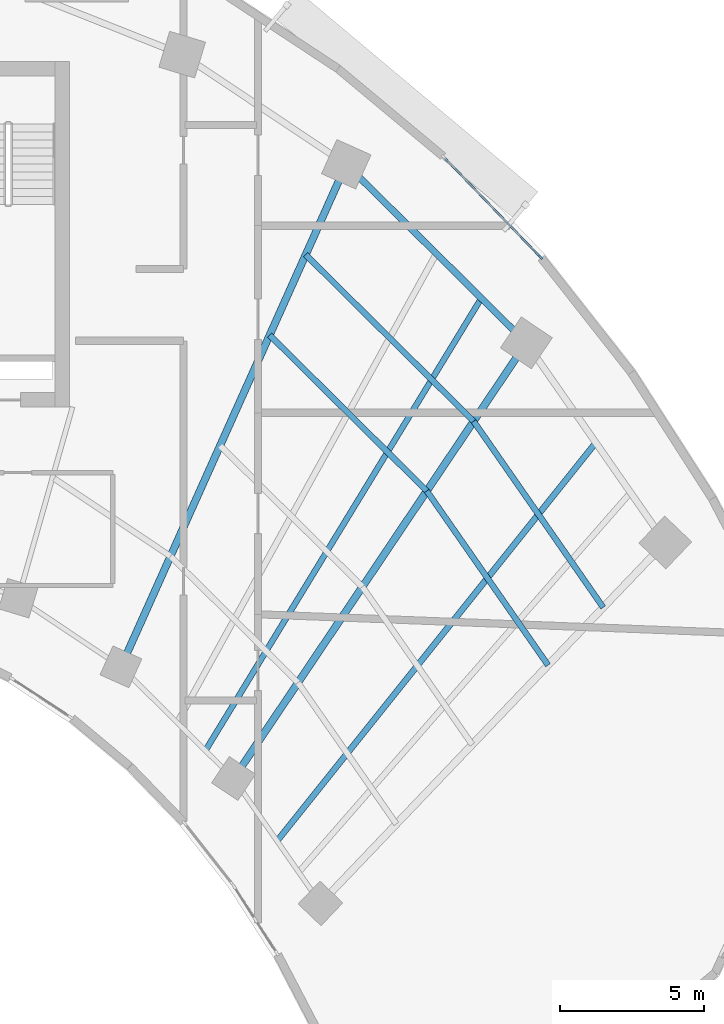
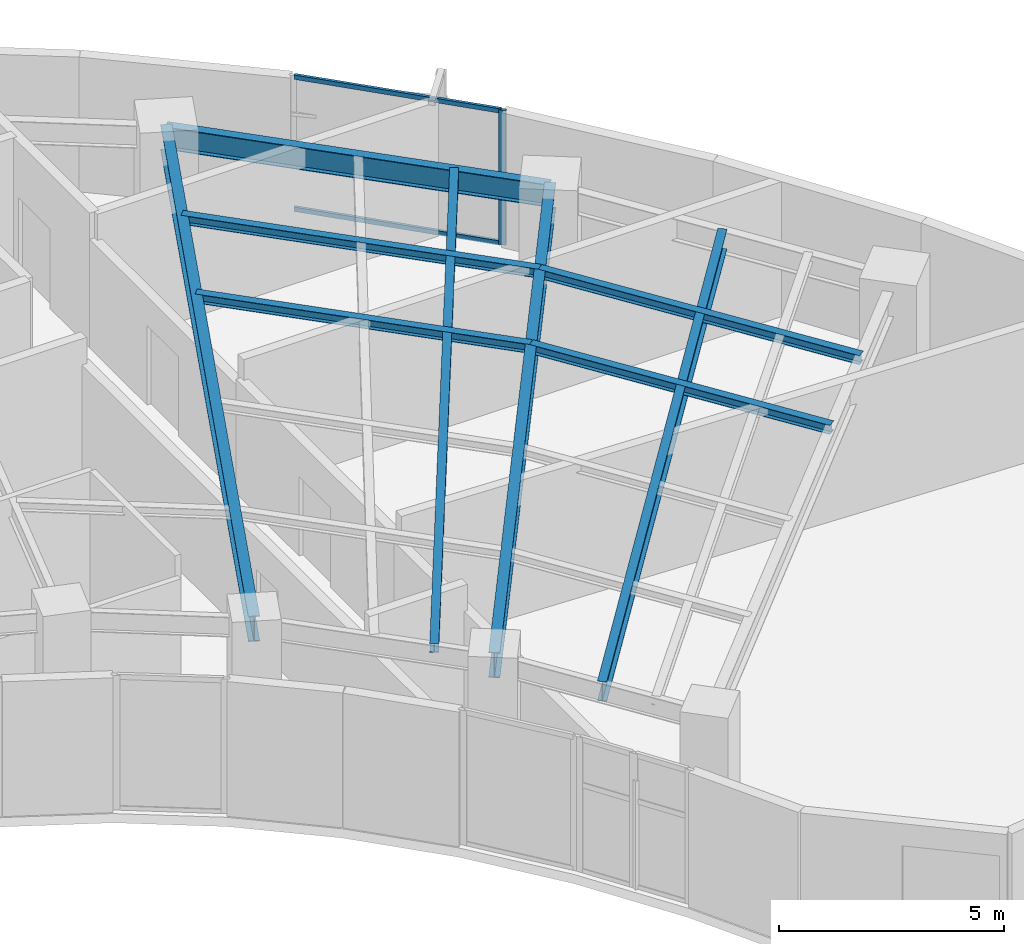
# One storey, part 4 of 13: 9 beams, 3 members, 1 element without a shape of its own.
"""IFC4 building model written with IfcOpenShell, lengths in metres."""

import ifcopenshell
import ifcopenshell.guid

model = None  # the IFC model being written
_history = None  # IfcOwnerHistory: only IFC2X3 demands one
_inside = {}  # id of a spatial element -> (the spatial element, [elements in it])
_under = {}  # id of a project, library or spatial element -> (it, [spatial elements below it])
_declared = {}  # id of a project -> (the project, [libraries it declares])
_typed = {}  # id of a type object -> (the type object, [elements of that type])
_made_of = {}  # id of a material, layer set ... -> (it, [elements and type objects made of it])


def new_model(schema):
    """Start an empty IFC model of exactly this schema.

    Asked for "IFC4X3", IfcOpenShell would pick the latest addendum, in which some entities
    have other attributes; the version numbers below select the first issue.
    IFC2X3 requires an IfcOwnerHistory on every rooted entity: one is made here for all.
    """
    global model, _history
    if schema == "IFC4X3":
        model = ifcopenshell.file(schema_version=(4, 3, 0, 0))
    else:
        model = ifcopenshell.file(schema=schema)
    _inside.clear()
    _under.clear()
    _declared.clear()
    _typed.clear()
    _made_of.clear()
    _history = None
    if model.schema == "IFC2X3":
        org = make("IfcOrganization", Name="unknown")
        user = make(
            "IfcPersonAndOrganization",
            ThePerson=make("IfcPerson", FamilyName="unknown"),
            TheOrganization=org,
        )
        app = make(
            "IfcApplication",
            ApplicationDeveloper=org,
            Version="unknown",
            ApplicationFullName="unknown",
            ApplicationIdentifier="unknown",
        )
        _history = make(
            "IfcOwnerHistory",
            OwningUser=user,
            OwningApplication=app,
            ChangeAction="ADDED",
            CreationDate=0,
        )
    return model


def make(cls, **values):
    """One entity of the class cls with the attributes given. An attribute that is None is left unset."""
    return model.create_entity(
        cls, **{name: value for name, value in values.items() if value is not None}
    )


def rooted(cls, **values):
    """An entity with a GlobalId (a new one), such as an element, a storey or a relation."""
    return make(cls, GlobalId=ifcopenshell.guid.new(), OwnerHistory=_history, **values)


def si_unit(unit_type, name, prefix=None):
    """IfcSIUnit, for example si_unit("LENGTHUNIT", "METRE", prefix="MILLI")."""
    return make("IfcSIUnit", UnitType=unit_type, Prefix=prefix, Name=name)


def assignment(units):
    """IfcUnitAssignment: the units of a project."""
    return None if units is None else make("IfcUnitAssignment", Units=units)


def point(xyz):
    """IfcCartesianPoint."""
    return None if xyz is None else make("IfcCartesianPoint", Coordinates=xyz)


def direction(xyz):
    """IfcDirection."""
    return None if xyz is None else make("IfcDirection", DirectionRatios=xyz)


def frame(location, z_axis=None, x_axis=None):
    """IfcAxis2Placement3D, a coordinate frame: its origin and axes. An axis left out is left unset."""
    return make(
        "IfcAxis2Placement3D",
        Location=point(location),
        Axis=direction(z_axis),
        RefDirection=direction(x_axis),
    )


def frame_2d(location, x_axis=None):
    """IfcAxis2Placement2D, a coordinate frame in the plane: its origin and x axis."""
    return make(
        "IfcAxis2Placement2D", Location=point(location), RefDirection=direction(x_axis)
    )


def origin():
    """The frame at (0, 0, 0) with its axes left unset."""
    return frame((0.0, 0.0, 0.0))


def origin_2d():
    """The frame at (0, 0) in the plane with its x axis left unset."""
    return frame_2d((0.0, 0.0))


def place(relative_to, where):
    """IfcLocalPlacement: puts the frame where relative to a parent placement (None: the world)."""
    return make(
        "IfcLocalPlacement", PlacementRelTo=relative_to, RelativePlacement=where
    )


def context(
    kind, dimensions, precision=None, world=None, true_north=None, identifier=None
):
    """IfcGeometricRepresentationContext, for example the 3D "Model" context."""
    return make(
        "IfcGeometricRepresentationContext",
        ContextIdentifier=identifier,
        ContextType=kind,
        CoordinateSpaceDimension=dimensions,
        Precision=precision,
        WorldCoordinateSystem=world,
        TrueNorth=true_north,
    )


def subcontext(parent, identifier, kind, view, scale=None):
    """IfcGeometricRepresentationSubContext, for example "Body" below "Model"."""
    return make(
        "IfcGeometricRepresentationSubContext",
        ContextIdentifier=identifier,
        ContextType=kind,
        ParentContext=parent,
        TargetScale=scale,
        TargetView=view,
    )


def project(units=None, contexts=None):
    """IfcProject with its units and contexts."""
    return rooted(
        "IfcProject",
        Name="project",
        RepresentationContexts=contexts,
        UnitsInContext=assignment(units),
    )


def spatial(cls, under=None, at=None, **own):
    """A site, building, storey or space (cls), placed at a placement, below another one or the project."""
    s = rooted(cls, ObjectPlacement=at, **own)
    if under is not None:
        _under.setdefault(under.id(), (under, []))[1].append(s)
    return s


def profile(cls, at=None, kind="AREA", **sizes):
    """A parametric profile (cls). Its sizes go by their IFC names, for example OverallWidth=200.0."""
    return make(cls, ProfileType=kind, Position=at, **sizes)


def rectangle(**sizes):
    """IfcRectangleProfileDef."""
    return profile("IfcRectangleProfileDef", **sizes)


def i_section(**sizes):
    """IfcIShapeProfileDef."""
    return profile("IfcIShapeProfileDef", **sizes)


def extrude(swept, where, along, depth):
    """IfcExtrudedAreaSolid: the profile swept, set in the frame where, extruded along a direction by depth."""
    return make(
        "IfcExtrudedAreaSolid",
        SweptArea=swept,
        Position=where,
        ExtrudedDirection=direction(along),
        Depth=depth,
    )


def shape(context_of_items, identifier, shape_type, items):
    """IfcShapeRepresentation: the items that make up one representation, for example the "Body"."""
    return make(
        "IfcShapeRepresentation",
        ContextOfItems=context_of_items,
        RepresentationIdentifier=identifier,
        RepresentationType=shape_type,
        Items=items,
    )


def source(mapping_origin, context_of_items, identifier, shape_type, items):
    """IfcRepresentationMap: a shape defined once, which mapped items show again and again."""
    return make(
        "IfcRepresentationMap",
        MappingOrigin=mapping_origin,
        MappedRepresentation=shape(context_of_items, identifier, shape_type, items),
    )


def transform(
    local_origin,
    x_axis=None,
    y_axis=None,
    z_axis=None,
    scale=None,
    scale2=None,
    scale3=None,
    uniform=True,
):
    """IfcCartesianTransformationOperator3D, or its non-uniform kind. x_axis, y_axis, z_axis: its Axis1, 2, 3."""
    if uniform:
        return make(
            "IfcCartesianTransformationOperator3D",
            Axis1=direction(x_axis),
            Axis2=direction(y_axis),
            LocalOrigin=point(local_origin),
            Scale=scale,
            Axis3=direction(z_axis),
        )
    return make(
        "IfcCartesianTransformationOperator3DnonUniform",
        Axis1=direction(x_axis),
        Axis2=direction(y_axis),
        LocalOrigin=point(local_origin),
        Scale=scale,
        Axis3=direction(z_axis),
        Scale2=scale2,
        Scale3=scale3,
    )


def mapped(mapping_source, mapping_target):
    """IfcMappedItem: shows the shape of a source again, moved by a transform."""
    return make(
        "IfcMappedItem", MappingSource=mapping_source, MappingTarget=mapping_target
    )


def material(Name=None, Category=None):
    """IfcMaterial."""
    return make("IfcMaterial", Name=Name, Category=Category)


def layer(
    of_material, thickness, ventilated=None, Name=None, Category=None, Priority=None
):
    """IfcMaterialLayer: one layer of a wall or slab, of a material (None: an air gap)."""
    return make(
        "IfcMaterialLayer",
        Material=of_material,
        LayerThickness=thickness,
        IsVentilated=ventilated,
        Name=Name,
        Category=Category,
        Priority=Priority,
    )


def layer_set(layers, Name=None):
    """IfcMaterialLayerSet."""
    return make("IfcMaterialLayerSet", MaterialLayers=layers, LayerSetName=Name)


def material_profile(
    of_material, cross_section, Name=None, Category=None, Priority=None
):
    """IfcMaterialProfile: a cross section and its material."""
    return make(
        "IfcMaterialProfile",
        Name=Name,
        Material=of_material,
        Profile=cross_section,
        Priority=Priority,
        Category=Category,
    )


def profile_set(profiles, Name=None, composite=None):
    """IfcMaterialProfileSet."""
    return make(
        "IfcMaterialProfileSet",
        Name=Name,
        MaterialProfiles=profiles,
        CompositeProfile=composite,
    )


def made_of(thing, what):
    """Note that an element or type object is made of a material, layer set ...; save() writes the relation."""
    if what is not None:
        _made_of.setdefault(what.id(), (what, []))[1].append(thing)
    return thing


def type_object(cls, material=None, **own):
    """A type object (cls), such as IfcWallType, which elements share."""
    return made_of(rooted(cls, **own), material)


def element(
    cls,
    number,
    at=None,
    inside=None,
    cuts=None,
    type_object=None,
    material=None,
    context=None,
    identifier="Body",
    shape_type=None,
    held_by="IfcProductDefinitionShape",
    body=None,
    shapes=None,
    **own,
):
    """One element of the class cls, such as IfcWall. Its Tag is "e" and its number.

    at: its placement. inside: the storey or other place that contains it. cuts: it is an
    opening in that element (IfcRelVoidsElement). A single representation is given by context,
    identifier, shape_type and body (its items); several are given by shapes. held_by: the class
    of the entity that holds the representations. save() writes the other relations.
    """
    e = rooted(cls, Tag="e%d" % number, ObjectPlacement=at, **own)
    if body is not None:
        shapes = [shape(context, identifier, shape_type, body)]
    if shapes is not None:
        e.Representation = make(held_by, Representations=shapes)
    if inside is not None:
        _inside.setdefault(inside.id(), (inside, []))[1].append(e)
    if cuts is not None:
        rooted(
            "IfcRelVoidsElement", RelatingBuildingElement=cuts, RelatedOpeningElement=e
        )
    if type_object is not None:
        _typed.setdefault(type_object.id(), (type_object, []))[1].append(e)
    return made_of(e, material)


def aggregate(whole, parts):
    """IfcRelAggregates: a whole, such as a stair, and the parts it consists of."""
    return rooted("IfcRelAggregates", RelatingObject=whole, RelatedObjects=parts)


def save(model, path):
    """Write the relations noted so far, then the file.

    IfcRelAggregates (storeys below a building ...), IfcRelContainedInSpatialStructure (elements
    in a storey), IfcRelDefinesByType, IfcRelAssociatesMaterial and IfcRelDeclares: one each for
    every whole, place, type object, material and project.
    """
    for whole, parts in _under.values():
        aggregate(whole, parts)
    for where, things in _inside.values():
        rooted(
            "IfcRelContainedInSpatialStructure",
            RelatedElements=things,
            RelatingStructure=where,
        )
    for kind, things in _typed.values():
        rooted("IfcRelDefinesByType", RelatedObjects=things, RelatingType=kind)
    for what, things in _made_of.values():
        rooted("IfcRelAssociatesMaterial", RelatedObjects=things, RelatingMaterial=what)
    for by, libraries in _declared.values():
        rooted("IfcRelDeclares", RelatingContext=by, RelatedDefinitions=libraries)
    model.write(path)


model = new_model("IFC4")

# Units and contexts
model_context = context("Model", 3, precision=1e-05, world=origin(), true_north=direction((0.0, 1.0)))
body_context = subcontext(model_context, "Body", "Model", "MODEL_VIEW")
ifc_project = project(units=[si_unit("LENGTHUNIT", "METRE"), si_unit("AREAUNIT", "SQUARE_METRE"), si_unit("VOLUMEUNIT", "CUBIC_METRE"), si_unit("PLANEANGLEUNIT", "RADIAN"), si_unit("MASSUNIT", "GRAM", prefix="KILO")], contexts=[model_context])

# Site, building, storey
site_placement = place(None, origin())
site = spatial("IfcSite", under=ifc_project, at=site_placement, CompositionType="ELEMENT")
building_placement = place(site_placement, origin())
building = spatial("IfcBuilding", under=site, at=building_placement, Name="Breltana Convention Tower", CompositionType="ELEMENT")
storey_placement = place(building_placement, frame((0.0, 0.0, 127.199951171875)))
storey = spatial("IfcBuildingStorey", under=building, at=storey_placement, Name="L30", CompositionType="ELEMENT", Elevation=127.199951171875)

# Beams
ifc_material_1 = material(Name="Steel ASTM A992 Grade 50", Category="steel")
ifc_material_profile_1 = material_profile(ifc_material_1, i_section(OverallWidth=0.25390625, OverallDepth=0.68798828125, WebThickness=0.01318359375, FlangeThickness=0.02099609375, at=origin_2d()), Name="W27X102")
ifc_profile_set_1 = profile_set([ifc_material_profile_1], Name="Steel ASTM A992 Grade 50")
beam_type_1 = type_object("IfcBeamType", Name="BM-RG-W27X102", PredefinedType="USERDEFINED", material=ifc_profile_set_1)
shared_shape_1 = source(origin(), body_context, "Body", "SweptSolid", [
    extrude(i_section(OverallWidth=0.25390625, OverallDepth=0.68798828125, WebThickness=0.01318359375, FlangeThickness=0.02099609375, at=origin_2d()), origin(), (0.0, 0.0, 1.0), 19.133544921875),
])
beam_1_placement = place(storey_placement, frame((61.08203125, 51.174560546875, 3.30615234375), z_axis=(0.409144564164, 0.912469575172, 0.0), x_axis=(-0.912469575172, 0.409144564164, 0.0)))
element("IfcBeam", 1, at=beam_1_placement, inside=storey, type_object=beam_type_1, Name="L30 Radial Floor Girder R09", ObjectType="GIRDER", PredefinedType="USERDEFINED", context=body_context, shape_type="MappedRepresentation", body=[
    mapped(shared_shape_1, transform((0.0, 0.0, 0.0), scale=1.0)),
])
shared_shape_2 = source(origin(), body_context, "Body", "SweptSolid", [
    extrude(i_section(OverallWidth=0.25390625, OverallDepth=0.68798828125, WebThickness=0.01318359375, FlangeThickness=0.02099609375, at=origin_2d()), origin(), (0.0, 0.0, 1.0), 18.236328125),
])
beam_2_placement = place(storey_placement, frame((64.995849609375, 47.293701171875, 3.30615234375), z_axis=(0.557730360975, 0.830022195153, 0.0), x_axis=(-0.830022195153, 0.557730360975, 0.0)))
element("IfcBeam", 2, at=beam_2_placement, inside=storey, type_object=beam_type_1, Name="L30 Radial Floor Girder R10", ObjectType="GIRDER", PredefinedType="USERDEFINED", context=body_context, shape_type="MappedRepresentation", body=[
    mapped(shared_shape_2, transform((0.0, 0.0, 0.0), scale=1.0)),
])
ifc_material_profile_2 = material_profile(ifc_material_1, i_section(OverallWidth=0.22802734375, OverallDepth=0.60791015625, WebThickness=0.01123046875, FlangeThickness=0.017333984375, at=origin_2d()), Name="W24X76")
ifc_profile_set_2 = profile_set([ifc_material_profile_2], Name="Steel ASTM A992 Grade 50")
beam_type_2 = type_object("IfcBeamType", Name="BM-SP-W24X76", PredefinedType="SPANDREL", material=ifc_profile_set_2)
shared_shape_3 = source(origin(), body_context, "Body", "SweptSolid", [
    extrude(i_section(OverallWidth=0.22802734375, OverallDepth=0.60791015625, WebThickness=0.01123046875, FlangeThickness=0.017333984375, at=origin_2d()), origin(), (0.0, 0.0, 1.0), 8.810302734375),
])
beam_3_placement = place(storey_placement, frame((68.910400390625, 68.63330078125, 3.345947265625), z_axis=(0.710120823582, -0.704079836322, 0.0), x_axis=(0.704079836322, 0.710120823582, 0.0)))
element("IfcBeam", 3, at=beam_3_placement, inside=storey, type_object=beam_type_2, Name="L30 Outer Spandrel Beam 09", PredefinedType="SPANDREL", context=body_context, shape_type="MappedRepresentation", body=[
    mapped(shared_shape_3, transform((0.0, 0.0, 0.0), scale=1.0)),
])
ifc_material_profile_3 = material_profile(ifc_material_1, i_section(OverallWidth=0.201904296875, OverallDepth=0.2470703125, WebThickness=0.00732421875, FlangeThickness=0.010986328125, at=origin_2d()), Name="W10X33")
ifc_profile_set_3 = profile_set([ifc_material_profile_3], Name="Steel ASTM A992 Grade 50")
beam_type_3 = type_object("IfcBeamType", Name="BM-JSG-11", PredefinedType="JOIST", material=ifc_profile_set_3)
shared_shape_4 = source(origin(), body_context, "Body", "SweptSolid", [
    extrude(i_section(OverallWidth=0.201904296875, OverallDepth=0.2470703125, WebThickness=0.00732421875, FlangeThickness=0.010986328125, at=origin_2d()), origin(), (0.0, 0.0, 1.0), 7.688720703125),
])
beam_4_placement = place(storey_placement, frame((66.248779296875, 62.697265625, 3.526611328125), z_axis=(0.710101109809, -0.704099718682, 0.0), x_axis=(0.704099718682, 0.710101109809, 0.0)))
element("IfcBeam", 4, at=beam_4_placement, inside=storey, type_object=beam_type_3, Name="L30 Composite Floor Joist 09.3", PredefinedType="JOIST", context=body_context, shape_type="MappedRepresentation", body=[
    mapped(shared_shape_4, transform((0.0, 0.0, 0.0), scale=1.0)),
])
shared_shape_5 = source(origin(), body_context, "Body", "SweptSolid", [
    extrude(i_section(OverallWidth=0.201904296875, OverallDepth=0.2470703125, WebThickness=0.00732421875, FlangeThickness=0.010986328125, at=origin_2d()), origin(), (0.0, 0.0, 1.0), 8.21630859375),
])
beam_5_placement = place(storey_placement, frame((67.50146484375, 65.49072265625, 3.526611328125), z_axis=(0.710101511063, -0.704099314008, 0.0), x_axis=(0.704099314008, 0.710101511063, 0.0)))
element("IfcBeam", 5, at=beam_5_placement, inside=storey, type_object=beam_type_3, Name="L30 Composite Floor Joist 09.4", PredefinedType="JOIST", context=body_context, shape_type="MappedRepresentation", body=[
    mapped(shared_shape_5, transform((0.0, 0.0, 0.0), scale=1.0)),
])
shared_shape_6 = source(origin(), body_context, "Body", "SweptSolid", [
    extrude(i_section(OverallWidth=0.201904296875, OverallDepth=0.2470703125, WebThickness=0.00732421875, FlangeThickness=0.010986328125, at=origin_2d()), origin(), (0.0, 0.0, 1.0), 18.409423828125),
])
beam_6_placement = place(storey_placement, frame((64.017333984375, 48.263916015625, 3.526611328125), z_axis=(0.520682167606, 0.853750596098, 0.0), x_axis=(-0.853750596098, 0.520682167606, 0.0)))
element("IfcBeam", 6, at=beam_6_placement, inside=storey, type_object=beam_type_3, Name="L30 Quarter-Bay Radial Trimmer 09", PredefinedType="JOIST", context=body_context, shape_type="MappedRepresentation", body=[
    mapped(shared_shape_6, transform((0.0, 0.0, 0.0), scale=1.0)),
])
shared_shape_7 = source(origin(), body_context, "Body", "SweptSolid", [
    extrude(i_section(OverallWidth=0.201904296875, OverallDepth=0.2470703125, WebThickness=0.00732421875, FlangeThickness=0.010986328125, at=origin_2d()), origin(), (0.0, 0.0, 1.0), 7.374267578125),
])
beam_7_placement = place(storey_placement, frame((71.70849609375, 57.28369140625, 3.526611328125), z_axis=(0.571229379406, -0.820790470281, 0.0), x_axis=(0.820790470281, 0.571229379406, 0.0)))
element("IfcBeam", 7, at=beam_7_placement, inside=storey, type_object=beam_type_3, Name="L30 Composite Floor Joist 10.3", PredefinedType="JOIST", context=body_context, shape_type="MappedRepresentation", body=[
    mapped(shared_shape_7, transform((0.0, 0.0, 0.0), scale=1.0)),
])
shared_shape_8 = source(origin(), body_context, "Body", "SweptSolid", [
    extrude(i_section(OverallWidth=0.201904296875, OverallDepth=0.2470703125, WebThickness=0.00732421875, FlangeThickness=0.010986328125, at=origin_2d()), origin(), (0.0, 0.0, 1.0), 7.88037109375),
])
beam_8_placement = place(storey_placement, frame((73.3359375, 59.70556640625, 3.526611328125), z_axis=(0.571197916304, -0.820812366141, 0.0), x_axis=(0.820812366141, 0.571197916304, 0.0)))
element("IfcBeam", 8, at=beam_8_placement, inside=storey, type_object=beam_type_3, Name="L30 Composite Floor Joist 10.4", PredefinedType="JOIST", context=body_context, shape_type="MappedRepresentation", body=[
    mapped(shared_shape_8, transform((0.0, 0.0, 0.0), scale=1.0)),
])
ifc_material_profile_4 = material_profile(ifc_material_1, i_section(OverallWidth=0.2099609375, OverallDepth=0.537109375, WebThickness=0.010986328125, FlangeThickness=0.017333984375, at=origin_2d()), Name="W21X68")
ifc_profile_set_4 = profile_set([ifc_material_profile_4], Name="Steel ASTM A992 Grade 50")
beam_type_4 = type_object("IfcBeamType", Name="BM-JSG-04", PredefinedType="JOIST", material=ifc_profile_set_4)
shared_shape_9 = source(origin(), body_context, "Body", "SweptSolid", [
    extrude(i_section(OverallWidth=0.2099609375, OverallDepth=0.537109375, WebThickness=0.010986328125, FlangeThickness=0.017333984375, at=origin_2d()), origin(), (0.0, 0.0, 1.0), 17.7236328125),
])
beam_9_placement = place(storey_placement, frame((66.505615234375, 45.124267578125, 3.381591796875), z_axis=(0.624829427563, 0.78076128647, 0.0), x_axis=(-0.78076128647, 0.624829427563, 0.0)))
element("IfcBeam", 9, at=beam_9_placement, inside=storey, type_object=beam_type_4, Name="L30 Mid-Bay Radial Trimmer 10", PredefinedType="JOIST", context=body_context, shape_type="MappedRepresentation", body=[
    mapped(shared_shape_9, transform((0.0, 0.0, 0.0), scale=1.0)),
])

# Curtain wall, members
ifc_material_2 = material(Name="Aluminium Anodised Bronze Frame", Category="aluminium")
ifc_layer = layer(ifc_material_2, 0.22998046875, Name="Aluminium Anodised Bronze Frame")
ifc_layer_set = layer_set([ifc_layer], Name="Aluminium Anodised Bronze Frame")
curtain_wall_type = type_object("IfcCurtainWallType", Name="CW-SYS-5", PredefinedType="NOTDEFINED", material=ifc_layer_set)
curtain_wall_placement = place(storey_placement, origin())
curtain_wall = element("IfcCurtainWall", 10, at=curtain_wall_placement, inside=storey, type_object=curtain_wall_type, Name="L30 outer double-skin inner glazing 4", PredefinedType="NOTDEFINED")
ifc_material_3 = material(Name="Aluminium Anodised Bronze", Category="aluminium")
ifc_material_profile_5 = material_profile(ifc_material_3, rectangle(XDim=0.070068359375, YDim=0.1201171875, at=origin_2d()), Name="CWT-70X120")
ifc_profile_set_5 = profile_set([ifc_material_profile_5], Name="Aluminium Anodised Bronze")
member_type_1 = type_object("IfcMemberType", Name="CWT-120", PredefinedType="USERDEFINED", material=ifc_profile_set_5)
shared_shape_10 = source(origin(), body_context, "Body", "SweptSolid", [
    extrude(rectangle(XDim=0.070068359375, YDim=0.1201171875, at=origin_2d()), origin(), (0.0, 0.0, 1.0), 4.7685546875),
])
member_1_placement = place(storey_placement, frame((72.323974609375, 68.857177734375, 0.03515625), z_axis=(0.694608218982, -0.719388227679, 0.0), x_axis=(0.719388227679, 0.694608218982, 0.0)))
member_1 = element("IfcMember", 11, at=member_1_placement, type_object=member_type_1, Name="CW-05 transom 1.1", ObjectType="TRANSOM", PredefinedType="USERDEFINED", context=body_context, shape_type="MappedRepresentation", body=[
    mapped(shared_shape_10, transform((0.0, 0.0, 0.0), scale=1.0)),
])
member_2_placement = place(storey_placement, frame((72.323974609375, 68.857177734375, 3.614990234375), z_axis=(0.694608218982, -0.719388227679, 0.0), x_axis=(0.719388227679, 0.694608218982, 0.0)))
member_2 = element("IfcMember", 12, at=member_2_placement, type_object=member_type_1, Name="CW-05 transom 1.2", ObjectType="TRANSOM", PredefinedType="USERDEFINED", context=body_context, shape_type="MappedRepresentation", body=[
    mapped(shared_shape_10, transform((0.0, 0.0, 0.0), scale=1.0)),
])
ifc_material_profile_6 = material_profile(ifc_material_3, rectangle(XDim=0.070068359375, YDim=0.175048828125, at=origin_2d()), Name="CWM-70X175")
ifc_profile_set_6 = profile_set([ifc_material_profile_6], Name="Aluminium Anodised Bronze")
member_type_2 = type_object("IfcMemberType", Name="CWM-175", PredefinedType="MULLION", material=ifc_profile_set_6)
shared_shape_11 = source(origin(), body_context, "Body", "SweptSolid", [
    extrude(rectangle(XDim=0.070068359375, YDim=0.175048828125, at=origin_2d()), origin(), (0.0, 0.0, 1.0), 3.650146484375),
])
member_3_placement = place(storey_placement, frame((75.660400390625, 65.401611328125, 0.0), z_axis=(0.0, 0.0, 1.0), x_axis=(0.719384961558, 0.694611601605, 0.0)))
member_3 = element("IfcMember", 13, at=member_3_placement, type_object=member_type_2, Name="CW-05 mullion 2", PredefinedType="MULLION", context=body_context, shape_type="MappedRepresentation", body=[
    mapped(shared_shape_11, transform((0.0, 0.0, 0.0), scale=1.0)),
])
aggregate(curtain_wall, [member_3, member_1, member_2])

save(model, "model.ifc")
